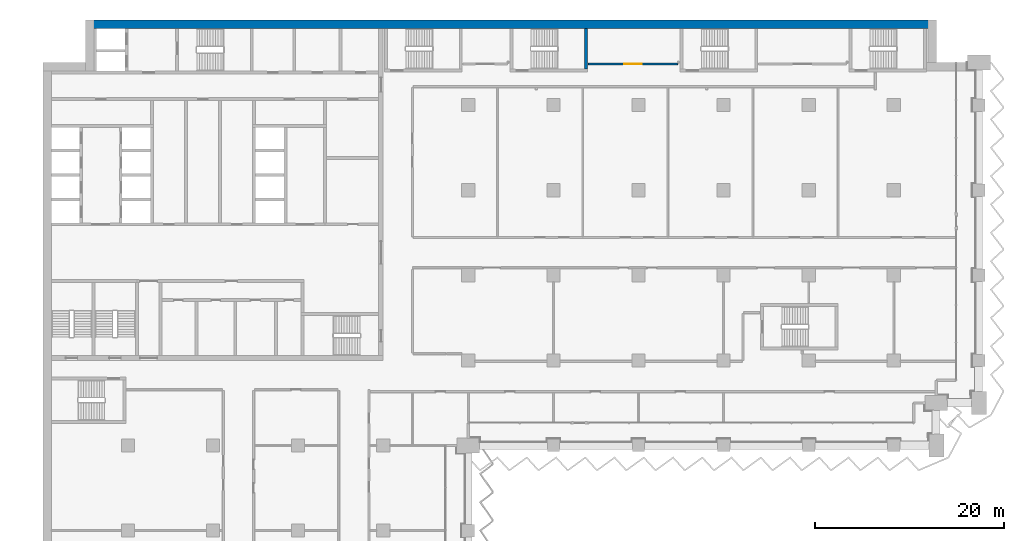
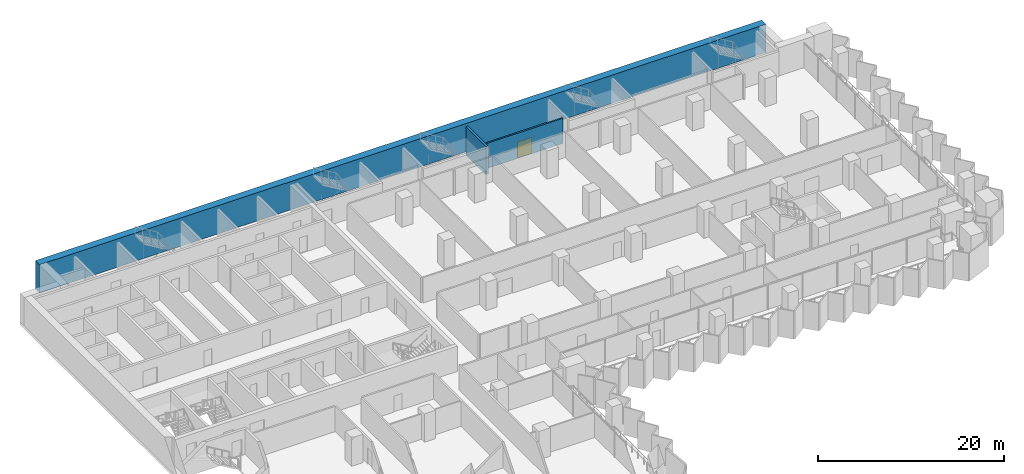
# One storey, part 17 of 29: 3 walls, 1 door, 1 opening.
"""IFC4 building model written with IfcOpenShell, lengths in metres."""

from ifc_helpers import new_model, si_unit, direction, frame, frame_2d, origin, place, context, subcontext, project, spatial, rectangle, extrude, material, layer, layer_set, type_object, element, fill, save


model = new_model("IFC4")

# Units and contexts
model_context = context("Model", 3, precision=1e-05, world=origin(), true_north=direction((0.0, 1.0)))
body_context = subcontext(model_context, "Body", "Model", "MODEL_VIEW")
ifc_project = project(units=[si_unit("LENGTHUNIT", "METRE"), si_unit("AREAUNIT", "SQUARE_METRE"), si_unit("VOLUMEUNIT", "CUBIC_METRE"), si_unit("PLANEANGLEUNIT", "RADIAN"), si_unit("MASSUNIT", "GRAM", prefix="KILO")], contexts=[model_context])

# Site, building, storey
site_placement = place(None, origin())
site = spatial("IfcSite", under=ifc_project, at=site_placement, CompositionType="ELEMENT")
building_placement = place(site_placement, origin())
building = spatial("IfcBuilding", under=site, at=building_placement, Name="Hunhe Ridgeline Campus", CompositionType="ELEMENT")
storey_placement = place(building_placement, frame((0.0, 0.0, 46.89990234375)))
storey = spatial("IfcBuildingStorey", under=building, at=storey_placement, Name="L10", CompositionType="ELEMENT", Elevation=46.89990234375)

# Wall, opening, door
ifc_material_1 = material(Name="Gypsum board partition")
ifc_layer_1 = layer(ifc_material_1, 0.199951171875)
ifc_layer_set_1 = layer_set([ifc_layer_1], Name="Corridor partition 200 gypsum board on steel studs")
wall_type_1 = type_object("IfcWallType", Name="Corridor partition 200 gypsum board on steel studs", PredefinedType="PARTITIONING", material=ifc_layer_set_1)
wall_1_placement = place(storey_placement, frame((57.7041015625, 94.35009765625, 0.0), z_axis=(0.0, 0.0, 1.0), x_axis=(1.0, 0.0, 0.0)))
wall_1 = element("IfcWall", 1, at=wall_1_placement, inside=storey, type_object=wall_type_1, Name="F-L10-wall-053", PredefinedType="PARTITIONING", context=body_context, shape_type="SweptSolid", body=[
    extrude(rectangle(XDim=9.4208984375, YDim=0.199951171875, at=frame_2d((4.71044921875, 0.0))), origin(), (0.0, 0.0, 1.0), 3.300048828125),
])
opening_placement = place(wall_1_placement, frame((3.810546875, 0.0, 0.0)))
opening = element("IfcOpeningElement", 2, at=opening_placement, cuts=wall_1, Name="Opening RD2-048", PredefinedType="OPENING", context=body_context, shape_type="SweptSolid", body=[
    extrude(rectangle(XDim=1.800048828125, YDim=2.10009765625, at=frame_2d((0.89990234375, 1.050048828125))), frame((0.0, 0.10009765625, 0.0), z_axis=(0.0, -1.0, 0.0), x_axis=(1.0, 0.0, 0.0)), (0.0, 0.0, 1.0), 0.199951171875),
])
ifc_material_2 = material(Name="Timber door leaf", Category="wood")
door_type = type_object("IfcDoorType", Name="Double fire door 1800x2100 timber FD60", OperationType="DOUBLE_DOOR_SINGLE_SWING", PredefinedType="DOOR", material=ifc_material_2)
door_placement = place(opening_placement, origin())
door = element("IfcDoor", 3, at=door_placement, inside=storey, type_object=door_type, Name="F-L10-door-048", OperationType="DOUBLE_DOOR_SINGLE_SWING", OverallHeight=2.10009765625, OverallWidth=1.800048828125, PredefinedType="DOOR", context=body_context, shape_type="SweptSolid", body=[
    extrude(rectangle(XDim=1.800048828125, YDim=2.10009765625, at=frame_2d((0.89990234375, 1.050048828125))), frame((0.0, 0.02490234375, 0.0), z_axis=(0.0, -1.0, 0.0), x_axis=(1.0, 0.0, 0.0)), (0.0, 0.0, 1.0), 0.050048828125),
])
fill(opening, door)

# Walls
ifc_material_3 = material(Name="Concrete C80", Category="concrete")
ifc_layer_2 = layer(ifc_material_3, 0.89990234375)
ifc_layer_set_2 = layer_set([ifc_layer_2], Name="Spine wall 900 Concrete C80")
wall_type_2 = type_object("IfcWallType", Name="Spine wall 900 Concrete C80", PredefinedType="SHEAR", material=ifc_layer_set_2)
wall_2_placement = place(storey_placement, frame((94.5, 98.550048828125, 0.0), z_axis=(0.0, 0.0, 1.0), x_axis=(-1.0, 0.0, 0.0)))
element("IfcWall", 4, at=wall_2_placement, inside=storey, type_object=wall_type_2, Name="Spine wall SW1-4 L10", PredefinedType="SHEAR", context=body_context, shape_type="SweptSolid", body=[
    extrude(rectangle(XDim=90.0, YDim=0.89990234375, at=frame_2d((45.0, 0.0))), origin(), (0.0, 0.0, 1.0), 3.7001953125),
])
ifc_layer_3 = layer(ifc_material_3, 0.300048828125)
ifc_layer_set_3 = layer_set([ifc_layer_3], Name="Stair wall 300 reinforced concrete C80")
wall_type_3 = type_object("IfcWallType", Name="Stair wall 300 reinforced concrete C80", PredefinedType="SOLIDWALL", material=ifc_layer_set_3)
wall_3_placement = place(storey_placement, frame((57.449951171875, 93.800048828125, -0.39990234375), z_axis=(0.0, 0.0, 1.0), x_axis=(0.0, 1.0, 0.0)))
element("IfcWall", 5, at=wall_3_placement, inside=storey, type_object=wall_type_3, Name="L10 core wall 68", PredefinedType="SOLIDWALL", context=body_context, shape_type="SweptSolid", body=[
    extrude(rectangle(XDim=4.300048828125, YDim=0.300048828125, at=frame_2d((2.14990234375, 0.0))), origin(), (0.0, 0.0, 1.0), 3.699951171875),
])

save(model, "model.ifc")
